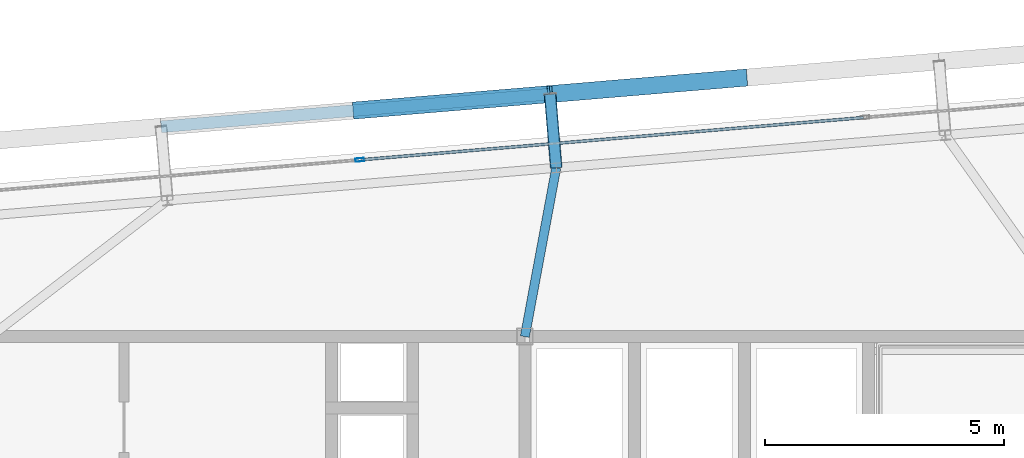
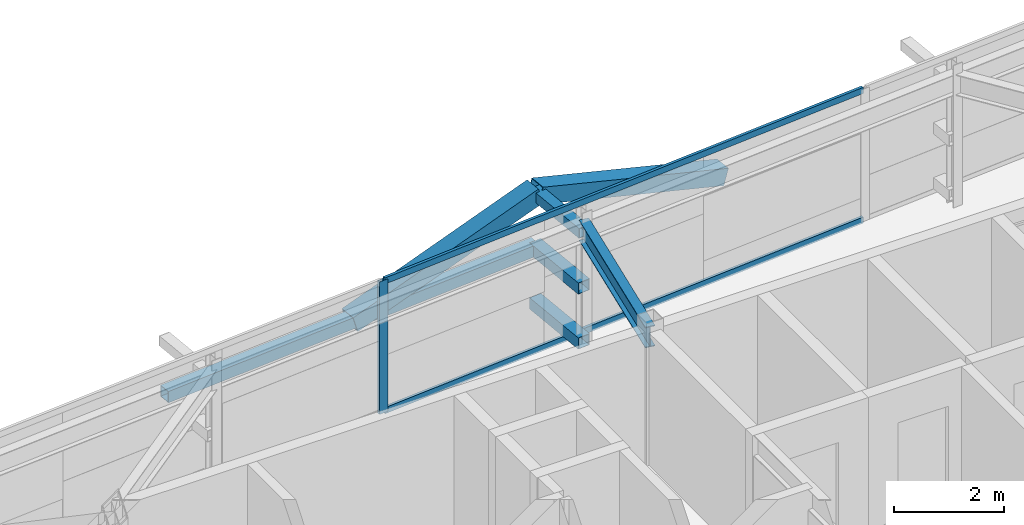
# One storey, part 23 of 39: 9 members, 1 beam, 1 element without a shape of its own.
"""IFC4 building model written with IfcOpenShell, lengths in metres."""

from ifc_helpers import new_model, si_unit, direction, frame, origin, origin_2d, place, context, subcontext, project, spatial, hollow_rectangle, i_section, extrude, source, transform, mapped, material, layer, layer_set, material_profile, profile_set, type_object, element, aggregate, save


model = new_model("IFC4")

# Units and contexts
model_context = context("Model", 3, precision=1e-05, world=origin(), true_north=direction((0.0, 1.0)))
body_context = subcontext(model_context, "Body", "Model", "MODEL_VIEW")
ifc_project = project(units=[si_unit("LENGTHUNIT", "METRE"), si_unit("AREAUNIT", "SQUARE_METRE"), si_unit("VOLUMEUNIT", "CUBIC_METRE"), si_unit("PLANEANGLEUNIT", "RADIAN"), si_unit("MASSUNIT", "GRAM", prefix="KILO")], contexts=[model_context])

# Site, building, storey
site_placement = place(None, origin())
site = spatial("IfcSite", under=ifc_project, at=site_placement, CompositionType="ELEMENT")
building_placement = place(site_placement, origin())
building = spatial("IfcBuilding", under=site, at=building_placement, Name="Taldren Reach Tower", CompositionType="ELEMENT")
storey_placement = place(building_placement, frame((0.0, 0.0, 178.85009765625)))
storey = spatial("IfcBuildingStorey", under=building, at=storey_placement, Name="L54", CompositionType="ELEMENT", Elevation=178.85009765625)

# Members
ifc_material_1 = material(Name="Steel Gr 350 (C350L0)", Category="steel")
ifc_material_profile_1 = material_profile(ifc_material_1, hollow_rectangle(XDim=0.25, YDim=0.25, WallThickness=0.010009765625, at=origin_2d()), Name="250x250x10.0SHS")
ifc_profile_set_1 = profile_set([ifc_material_profile_1], Name="Steel Gr 350 (C350L0)")
member_type_1 = type_object("IfcMemberType", Name="MB-POST250", PredefinedType="POST", material=ifc_profile_set_1)
shared_shape_1 = source(origin(), body_context, "Body", "SweptSolid", [
    extrude(hollow_rectangle(XDim=0.25, YDim=0.25, WallThickness=0.010009765625, at=origin_2d()), origin(), (0.0, 0.0, 1.0), 1.5498046875),
])
for number, where, z_axis, x_axis, name in (
    (1, (39.857666015625, 35.537109375, 0.219970703125), (-0.083645141657, 0.996495604746, 0.0), (-0.996495604746, -0.083645141657, 0.0), "Exoskeleton base diaphragm tie strut B4-N4 L54"),
    (2, (39.857666015625, 35.537109375, 1.434814453125), (-0.083645141657, 0.996495604746, 0.0), (-0.996495604746, -0.083645141657, 0.0), "Exoskeleton mid-tier diaphragm tie B4-N4 L54"),
):
    element("IfcMember", number, at=place(storey_placement, frame(where, z_axis=z_axis, x_axis=x_axis)), inside=storey, type_object=member_type_1, Name=name, PredefinedType="POST", context=body_context, shape_type="MappedRepresentation", body=[
        mapped(shared_shape_1, transform((0.0, 0.0, 0.0), scale=1.0)),
    ])

# Beam
ifc_material_2 = material(Name="Steel Gr 350 (350PLUS)", Category="steel")
ifc_material_profile_2 = material_profile(ifc_material_2, i_section(OverallWidth=0.19091796875, OverallDepth=0.4599609375, WebThickness=0.010009765625, FlangeThickness=0.01611328125, at=origin_2d()), Name="460UB82.1")
ifc_profile_set_2 = profile_set([ifc_material_profile_2], Name="Steel Gr 350 (350PLUS)")
beam_type = type_object("IfcBeamType", Name="BM-UB460A", PredefinedType="BEAM", material=ifc_profile_set_2)
shared_shape_2 = source(origin(), body_context, "Body", "SweptSolid", [
    extrude(i_section(OverallWidth=0.19091796875, OverallDepth=0.4599609375, WebThickness=0.010009765625, FlangeThickness=0.01611328125, at=origin_2d()), origin(), (0.0, 0.0, 1.0), 3.59765625),
])
beam_placement = place(storey_placement, frame((39.199951171875, 32.0, 2.699951171875), z_axis=(0.182813344882, 0.983147639438, 0.0), x_axis=(-0.983147639438, 0.182813344882, 0.0)))
element("IfcBeam", 3, at=beam_placement, inside=storey, type_object=beam_type, Name="Primary floor girder B4-N4 L54", PredefinedType="BEAM", context=body_context, shape_type="MappedRepresentation", body=[
    mapped(shared_shape_2, transform((0.0, 0.0, 0.0), scale=1.0)),
])

# Members
ifc_material_3 = material(Name="Steel Gr 450 (C450L0)", Category="steel")
ifc_material_profile_3 = material_profile(ifc_material_3, hollow_rectangle(XDim=0.219970703125, YDim=0.219970703125, WallThickness=0.00830078125, at=origin_2d()), Name="220x220x8.2SHS")
ifc_profile_set_3 = profile_set([ifc_material_profile_3], Name="Steel Gr 450 (C450L0)")
member_type_2 = type_object("IfcMemberType", Name="MB-TIE219", PredefinedType="STRUT", material=ifc_profile_set_3)
shared_shape_3 = source(origin(), body_context, "Body", "SweptSolid", [
    extrude(hollow_rectangle(XDim=0.219970703125, YDim=0.219970703125, WallThickness=0.00830078125, at=origin_2d()), origin(), (0.0, 0.0, 1.0), 1.5498046875),
])
member_1_placement = place(storey_placement, frame((39.857666015625, 35.537109375, 2.64990234375), z_axis=(-0.083645141657, 0.996495604746, 0.0), x_axis=(-0.996495604746, -0.083645141657, 0.0)))
element("IfcMember", 4, at=member_1_placement, inside=storey, type_object=member_type_2, Name="Exoskeleton diaphragm tie strut B4-N4 L54", PredefinedType="STRUT", context=body_context, shape_type="MappedRepresentation", body=[
    mapped(shared_shape_3, transform((0.0, 0.0, 0.0), scale=1.0)),
])
shared_shape_4 = source(origin(), body_context, "Body", "SweptSolid", [
    extrude(hollow_rectangle(XDim=0.25, YDim=0.25, WallThickness=0.010009765625, at=origin_2d()), origin(), (0.0, 0.0, 1.0), 8.18017578125),
])
member_2_placement = place(storey_placement, frame((31.57666015625, 36.39697265625, 1.434814453125), z_axis=(0.996492034688, 0.083687662192, 0.0), x_axis=(-0.083687662192, 0.996492034688, 0.0)))
element("IfcMember", 5, at=member_2_placement, inside=storey, type_object=member_type_1, Name="Exoskeleton mid-height ring chord B4-N3 L54", PredefinedType="POST", context=body_context, shape_type="MappedRepresentation", body=[
    mapped(shared_shape_4, transform((0.0, 0.0, 0.0), scale=1.0)),
])
ifc_material_profile_4 = material_profile(ifc_material_3, hollow_rectangle(XDim=0.360107421875, YDim=0.360107421875, WallThickness=0.0126953125, at=origin_2d()), Name="360x360x12.7SHS")
ifc_profile_set_4 = profile_set([ifc_material_profile_4], Name="Steel Gr 450 (C450L0)")
member_type_3 = type_object("IfcMemberType", Name="MB-EXO356", PredefinedType="BRACE", material=ifc_profile_set_4)
shared_shape_5 = source(origin(), body_context, "Body", "SweptSolid", [
    extrude(hollow_rectangle(XDim=0.360107421875, YDim=0.360107421875, WallThickness=0.0126953125, at=origin_2d()), origin(), (0.0, 0.0, 1.0), 4.2666015625),
])
for number, where, z_axis, x_axis, name in (
    (6, (35.65234375, 36.7392578125, 1.434814453125), (0.955229159097, 0.080222312271, 0.284783486572), (-0.083687662192, 0.996492034688, 0.0), "Exoskeleton Diagrid Brace B4-N3 L54"),
    (7, (43.8037109375, 37.423828125, 1.434814453125), (-0.955229159097, -0.080222312271, 0.284783486572), (0.083687662192, -0.996492034688, 0.0), "Exoskeleton Diagrid Brace B4-N4 L54"),
):
    element("IfcMember", number, at=place(storey_placement, frame(where, z_axis=z_axis, x_axis=x_axis)), inside=storey, type_object=member_type_3, Name=name, PredefinedType="BRACE", context=body_context, shape_type="MappedRepresentation", body=[
        mapped(shared_shape_5, transform((0.0, 0.0, 0.0), scale=1.0)),
    ])

# Curtain wall, members
ifc_material_4 = material(Name="Aluminium and Low-E Glass Unitised System", Category="aluminium")
ifc_layer = layer(ifc_material_4, 0.159912109375)
ifc_layer_set = layer_set([ifc_layer], Name="Aluminium and Low-E Glass Unitised System")
curtain_wall_type = type_object("IfcCurtainWallType", Name="CW-SYS-5", PredefinedType="NOTDEFINED", material=ifc_layer_set)
curtain_wall_placement = place(storey_placement, origin())
curtain_wall = element("IfcCurtainWall", 8, at=curtain_wall_placement, inside=storey, type_object=curtain_wall_type, Name="Unitised curtain wall CW-L54-N", PredefinedType="NOTDEFINED")
ifc_material_5 = material(Name="Anodised Aluminium 6063-T6", Category="aluminium")
ifc_material_profile_5 = material_profile(ifc_material_5, hollow_rectangle(XDim=0.070068359375, YDim=0.179931640625, WallThickness=0.00390625, at=origin_2d()), Name="ALU-180x70x4RHS")
ifc_profile_set_5 = profile_set([ifc_material_profile_5], Name="Anodised Aluminium 6063-T6")
member_type_4 = type_object("IfcMemberType", Name="CW-MUL-180", PredefinedType="MULLION", material=ifc_profile_set_5)
shared_shape_6 = source(origin(), body_context, "Body", "SweptSolid", [
    extrude(hollow_rectangle(XDim=0.070068359375, YDim=0.179931640625, WallThickness=0.00390625, at=origin_2d()), origin(), (0.0, 0.0, 1.0), 2.929931640625),
])
member_3_placement = place(storey_placement, frame((35.739501953125, 35.702880859375, 0.0), z_axis=(0.0, 0.0, 1.0), x_axis=(0.083677875247, -0.99649285657, 0.0)))
member_3 = element("IfcMember", 9, at=member_3_placement, type_object=member_type_4, Name="CW-5 mullion 3", PredefinedType="MULLION", context=body_context, shape_type="MappedRepresentation", body=[
    mapped(shared_shape_6, transform((0.0, 0.0, 0.0), scale=1.0)),
])
ifc_material_profile_6 = material_profile(ifc_material_5, hollow_rectangle(XDim=0.06005859375, YDim=0.135009765625, WallThickness=0.00341796875, at=origin_2d()), Name="ALU-135x60x3.5RHS")
ifc_profile_set_6 = profile_set([ifc_material_profile_6], Name="Anodised Aluminium 6063-T6")
member_type_5 = type_object("IfcMemberType", Name="CW-TRN-150", PredefinedType="USERDEFINED", material=ifc_profile_set_6)
shared_shape_7 = source(origin(), body_context, "Body", "SweptSolid", [
    extrude(hollow_rectangle(XDim=0.06005859375, YDim=0.135009765625, WallThickness=0.00341796875, at=origin_2d()), origin(), (0.0, 0.0, 1.0), 10.55517578125),
])
member_4_placement = place(storey_placement, frame((46.292236328125, 36.589111328125, 0.02978515625), z_axis=(-0.996492274094, -0.083684811468, 0.0), x_axis=(0.083684811468, -0.996492274094, 0.0)))
member_4 = element("IfcMember", 10, at=member_4_placement, type_object=member_type_5, Name="CW-5 transom 2.1", ObjectType="TRANSOM", PredefinedType="USERDEFINED", context=body_context, shape_type="MappedRepresentation", body=[
    mapped(shared_shape_7, transform((0.0, 0.0, 0.0), scale=1.0)),
])
member_5_placement = place(storey_placement, frame((46.292236328125, 36.589111328125, 2.89990234375), z_axis=(-0.996492274094, -0.083684811468, 0.0), x_axis=(0.083684811468, -0.996492274094, 0.0)))
member_5 = element("IfcMember", 11, at=member_5_placement, type_object=member_type_5, Name="CW-5 transom 2.2", ObjectType="TRANSOM", PredefinedType="USERDEFINED", context=body_context, shape_type="MappedRepresentation", body=[
    mapped(shared_shape_7, transform((0.0, 0.0, 0.0), scale=1.0)),
])
aggregate(curtain_wall, [member_3, member_4, member_5])

save(model, "model.ifc")
